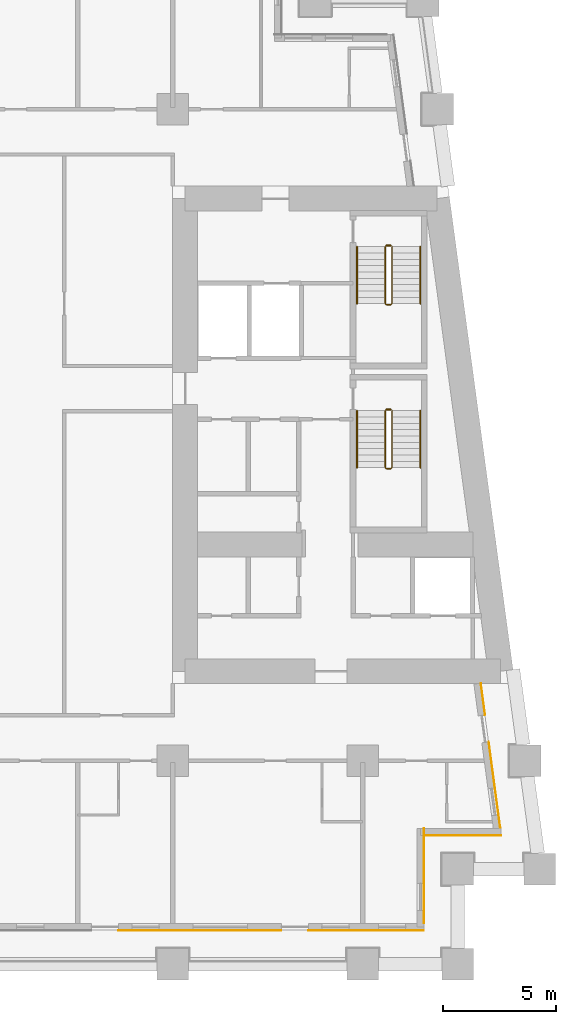
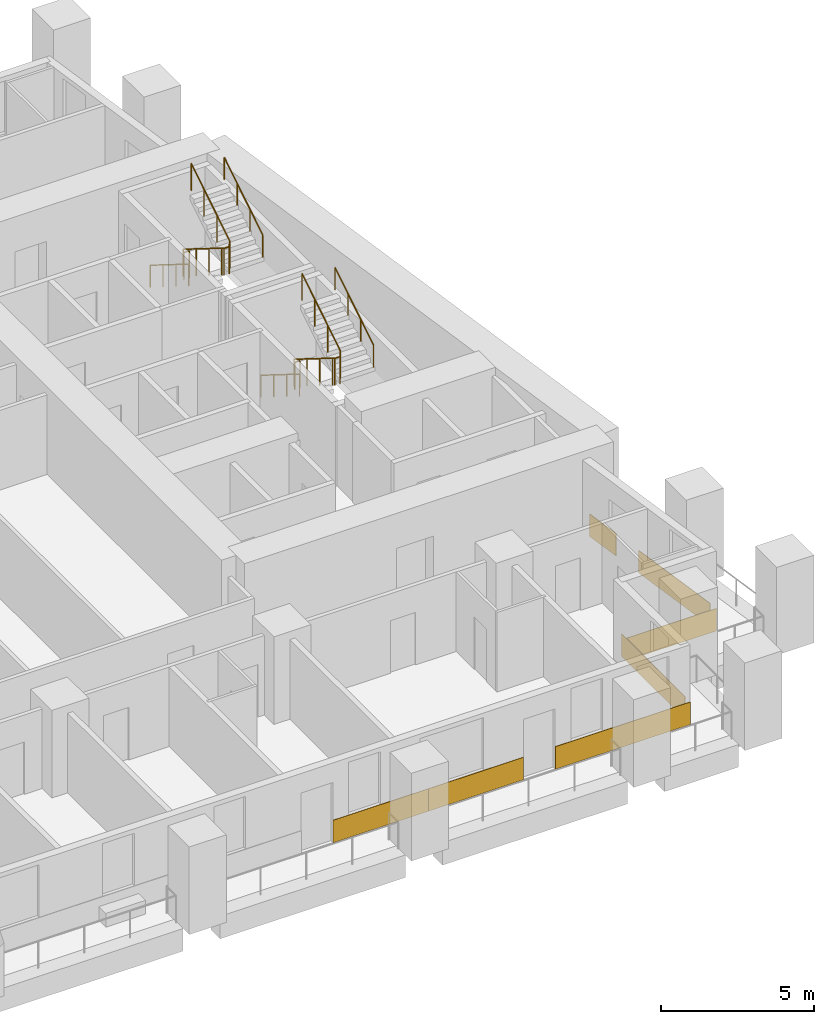
# One storey, part 10 of 12: 8 railings, 7 coverings.
"""IFC4 building model written with IfcOpenShell, lengths in metres."""

from ifc_helpers import new_model, si_unit, direction, frame, origin, origin_2d, place, context, subcontext, project, spatial, rectangle, circle, extrude, material, layer, layer_set, type_object, element, save


model = new_model("IFC4")

# Units and contexts
model_context = context("Model", 3, precision=1e-05, world=origin(), true_north=direction((0.0, 1.0)))
body_context = subcontext(model_context, "Body", "Model", "MODEL_VIEW")
ifc_project = project(units=[si_unit("LENGTHUNIT", "METRE"), si_unit("AREAUNIT", "SQUARE_METRE"), si_unit("VOLUMEUNIT", "CUBIC_METRE"), si_unit("PLANEANGLEUNIT", "RADIAN"), si_unit("MASSUNIT", "GRAM", prefix="KILO")], contexts=[model_context])

# Site, building, storey
site_placement = place(None, origin())
site = spatial("IfcSite", under=ifc_project, at=site_placement, CompositionType="ELEMENT")
building_placement = place(site_placement, origin())
building = spatial("IfcBuilding", under=site, at=building_placement, Name="Candeia Pilgrim Tower and Theatre", CompositionType="ELEMENT")
storey_placement = place(building_placement, frame((0.0, 0.0, 49.5)))
storey = spatial("IfcBuildingStorey", under=building, at=storey_placement, Name="L09", CompositionType="ELEMENT", Elevation=49.5)

# Coverings
ifc_material_1 = material(Name="Glazed ceramic tile deep red")
ifc_layer_1 = layer(ifc_material_1, 0.02001953125)
ifc_layer_set_1 = layer_set([ifc_layer_1], Name="Glazed ceramic tile deep red")
covering_type_1 = type_object("IfcCoveringType", Name="Glazed ceramic tile deep red", PredefinedType="CLADDING", material=ifc_layer_set_1)
covering_1_placement = place(storey_placement, frame((129.0, 99.489990234375, 0.0), z_axis=(0.0, 0.0, 1.0), x_axis=(1.0, 0.0, 0.0)))
element("IfcCovering", 1, at=covering_1_placement, inside=storey, type_object=covering_type_1, Name="Tile cladding deep red L09", PredefinedType="CLADDING", context=body_context, shape_type="SweptSolid", body=[
    extrude(rectangle(XDim=3.60009765625, YDim=0.02001953125, at=origin_2d()), origin(), (0.0, 0.0, 1.0), 0.89990234375),
])
covering_2_placement = place(storey_placement, frame((134.550048828125, 99.489990234375, 0.0), z_axis=(0.0, 0.0, 1.0), x_axis=(1.0, 0.0, 0.0)))
element("IfcCovering", 2, at=covering_2_placement, inside=storey, type_object=covering_type_1, Name="Tile cladding deep red L09", PredefinedType="CLADDING", context=body_context, shape_type="SweptSolid", body=[
    extrude(rectangle(XDim=5.10009765625, YDim=0.02001953125, at=origin_2d()), origin(), (0.0, 0.0, 1.0), 0.89990234375),
])
covering_3_placement = place(storey_placement, frame((137.110107421875, 101.909912109375, 0.0), z_axis=(0.0, 0.0, 1.0), x_axis=(0.0, 1.0, 0.0)))
element("IfcCovering", 3, at=covering_3_placement, inside=storey, type_object=covering_type_1, Name="Tile cladding deep red L09", PredefinedType="CLADDING", context=body_context, shape_type="SweptSolid", body=[
    extrude(rectangle(XDim=4.179931640625, YDim=0.02001953125, at=origin_2d()), origin(), (0.0, 0.0, 1.0), 0.89990234375),
])
covering_4_placement = place(storey_placement, frame((138.819580078125, 103.68994140625, 0.0), z_axis=(0.0, 0.0, 1.0), x_axis=(1.0, 0.0, 0.0)))
element("IfcCovering", 4, at=covering_4_placement, inside=storey, type_object=covering_type_1, Name="Tile cladding deep red L09", PredefinedType="CLADDING", context=body_context, shape_type="SweptSolid", body=[
    extrude(rectangle(XDim=3.399169921875, YDim=0.02001953125, at=origin_2d()), origin(), (0.0, 0.0, 1.0), 0.89990234375),
])
covering_5_placement = place(storey_placement, frame((140.228515625, 105.933349609375, 0.0), z_axis=(0.0, 0.0, 1.0), x_axis=(-0.133412012145, 0.991060661622, 0.0)))
element("IfcCovering", 5, at=covering_5_placement, inside=storey, type_object=covering_type_1, Name="Tile cladding deep red L09", PredefinedType="CLADDING", context=body_context, shape_type="SweptSolid", body=[
    extrude(rectangle(XDim=3.821044921875, YDim=0.02001953125, at=origin_2d()), origin(), (0.0, 0.0, 1.0), 0.89990234375),
])
covering_6_placement = place(storey_placement, frame((139.718994140625, 109.71875, 0.0), z_axis=(0.0, 0.0, 1.0), x_axis=(-0.133412012145, 0.991060661622, 0.0)))
element("IfcCovering", 6, at=covering_6_placement, inside=storey, type_object=covering_type_1, Name="Tile cladding deep red L09", PredefinedType="CLADDING", context=body_context, shape_type="SweptSolid", body=[
    extrude(rectangle(XDim=1.41796875, YDim=0.02001953125, at=origin_2d()), origin(), (0.0, 0.0, 1.0), 0.89990234375),
])
ifc_material_2 = material(Name="Glazed ceramic tile red")
ifc_layer_2 = layer(ifc_material_2, 0.02001953125)
ifc_layer_set_2 = layer_set([ifc_layer_2], Name="Glazed ceramic tile red")
covering_type_2 = type_object("IfcCoveringType", Name="Glazed ceramic tile red", PredefinedType="CLADDING", material=ifc_layer_set_2)
covering_7_placement = place(storey_placement, frame((125.39990234375, 99.489990234375, 0.0), z_axis=(0.0, 0.0, 1.0), x_axis=(1.0, 0.0, 0.0)))
element("IfcCovering", 7, at=covering_7_placement, inside=storey, type_object=covering_type_2, Name="Tile cladding red L09", PredefinedType="CLADDING", context=body_context, shape_type="SweptSolid", body=[
    extrude(rectangle(XDim=3.60009765625, YDim=0.02001953125, at=origin_2d()), origin(), (0.0, 0.0, 1.0), 0.89990234375),
])

# Railings
ifc_material_3 = material(Name="Stainless steel balustrade", Category="steel")
railing_type_1 = type_object("IfcRailingType", Name="RL-GUARD-1100", PredefinedType="GUARDRAIL", material=ifc_material_3)
railing_1_placement = place(storey_placement, frame((135.39794921875, 122.47509765625, 0.175048828125)))
element("IfcRailing", 8, at=railing_1_placement, inside=storey, type_object=railing_type_1, Name="L09 ST3 stair guard 1", PredefinedType="GUARDRAIL", context=body_context, shape_type="SweptSolid", body=[
    extrude(circle(Radius=0.02392578125, at=origin_2d()), frame((0.0, 0.0, 1.076171875), z_axis=(0.0, -0.848007534815, 0.529984170421), x_axis=(1.0, 0.0, 0.0)), (0.0, 0.0, 1.0), 2.9716796875),
    extrude(circle(Radius=0.02392578125, at=origin_2d()), frame((0.0, -2.52001953125, 2.65087890625), z_axis=(0.707106781187, -0.707106781187, 0.0), x_axis=(0.707106781187, 0.707106781187, 0.0)), (0.0, 0.0, 1.0), 0.07080078125),
    extrude(circle(Radius=0.02392578125, at=origin_2d()), frame((0.050048828125, -2.570068359375, 2.65087890625), z_axis=(1.0, 0.0, 0.0), x_axis=(0.0, 1.0, 0.0)), (0.0, 0.0, 1.0), 0.199951171875),
    extrude(circle(Radius=0.02392578125, at=origin_2d()), frame((0.25, -2.570068359375, 2.65087890625), z_axis=(0.265065253269, 0.265065253269, 0.927081885822), x_axis=(-0.707106781187, 0.707106781187, 0.0)), (0.0, 0.0, 1.0), 0.188720703125),
    extrude(circle(Radius=0.02392578125, at=origin_2d()), frame((0.300048828125, -2.52001953125, 2.826171875), z_axis=(0.0, 0.848007534815, 0.529984170421), x_axis=(-1.0, 0.0, 0.0)), (0.0, 0.0, 1.0), 2.9716796875),
    extrude(circle(Radius=0.02099609375, at=origin_2d()), origin(), (0.0, 0.0, 1.0), 1.052001953125),
    extrude(circle(Radius=0.02099609375, at=origin_2d()), frame((0.0, -0.840087890625, 0.52490234375)), (0.0, 0.0, 1.0), 1.052001953125),
    extrude(circle(Radius=0.02099609375, at=origin_2d()), frame((0.0, -1.679931640625, 1.050048828125)), (0.0, 0.0, 1.0), 1.052001953125),
    extrude(circle(Radius=0.02099609375, at=origin_2d()), frame((0.0, -2.52001953125, 1.574951171875)), (0.0, 0.0, 1.0), 1.052001953125),
    extrude(circle(Radius=0.02099609375, at=origin_2d()), frame((0.050048828125, -2.570068359375, 1.574951171875)), (0.0, 0.0, 1.0), 1.052001953125),
    extrude(circle(Radius=0.02099609375, at=origin_2d()), frame((0.25, -2.570068359375, 1.574951171875)), (0.0, 0.0, 1.0), 1.052001953125),
    extrude(circle(Radius=0.02099609375, at=origin_2d()), frame((0.300048828125, -2.52001953125, 1.75)), (0.0, 0.0, 1.0), 1.052001953125),
    extrude(circle(Radius=0.02099609375, at=origin_2d()), frame((0.300048828125, -1.679931640625, 2.27490234375)), (0.0, 0.0, 1.0), 1.052001953125),
    extrude(circle(Radius=0.02099609375, at=origin_2d()), frame((0.300048828125, -0.840087890625, 2.800048828125)), (0.0, 0.0, 1.0), 1.052001953125),
    extrude(circle(Radius=0.02099609375, at=origin_2d()), frame((0.300048828125, 0.0, 3.324951171875)), (0.0, 0.0, 1.0), 1.052001953125),
])
railing_2_placement = place(storey_placement, frame((135.447998046875, 122.52490234375, 0.0)))
element("IfcRailing", 9, at=railing_2_placement, inside=storey, type_object=railing_type_1, Name="L09 ST3 stair guard 2", PredefinedType="GUARDRAIL", context=body_context, shape_type="SweptSolid", body=[
    extrude(circle(Radius=0.02392578125, at=origin_2d()), frame((0.0, 0.0, 1.076171875), z_axis=(1.0, 0.0, 0.0), x_axis=(0.0, 1.0, 0.0)), (0.0, 0.0, 1.0), 0.199951171875),
    extrude(circle(Radius=0.02099609375, at=origin_2d()), origin(), (0.0, 0.0, 1.0), 1.052001953125),
    extrude(circle(Radius=0.02099609375, at=origin_2d()), frame((0.199951171875, 0.0, 0.0)), (0.0, 0.0, 1.0), 1.052001953125),
])
railing_3_placement = place(storey_placement, frame((135.39794921875, 129.72509765625, 0.175048828125)))
element("IfcRailing", 10, at=railing_3_placement, inside=storey, type_object=railing_type_1, Name="L09 ST4 stair guard 1", PredefinedType="GUARDRAIL", context=body_context, shape_type="SweptSolid", body=[
    extrude(circle(Radius=0.02392578125, at=origin_2d()), frame((0.0, 0.0, 1.076171875), z_axis=(0.0, -0.848007534815, 0.529984170421), x_axis=(1.0, 0.0, 0.0)), (0.0, 0.0, 1.0), 2.9716796875),
    extrude(circle(Radius=0.02392578125, at=origin_2d()), frame((0.0, -2.52001953125, 2.65087890625), z_axis=(0.707106781187, -0.707106781187, 0.0), x_axis=(0.707106781187, 0.707106781187, 0.0)), (0.0, 0.0, 1.0), 0.07080078125),
    extrude(circle(Radius=0.02392578125, at=origin_2d()), frame((0.050048828125, -2.570068359375, 2.65087890625), z_axis=(1.0, 0.0, 0.0), x_axis=(0.0, 1.0, 0.0)), (0.0, 0.0, 1.0), 0.199951171875),
    extrude(circle(Radius=0.02392578125, at=origin_2d()), frame((0.25, -2.570068359375, 2.65087890625), z_axis=(0.265065253269, 0.265065253269, 0.927081885822), x_axis=(-0.707106781187, 0.707106781187, 0.0)), (0.0, 0.0, 1.0), 0.188720703125),
    extrude(circle(Radius=0.02392578125, at=origin_2d()), frame((0.300048828125, -2.52001953125, 2.826171875), z_axis=(0.0, 0.848007534815, 0.529984170421), x_axis=(-1.0, 0.0, 0.0)), (0.0, 0.0, 1.0), 2.9716796875),
    extrude(circle(Radius=0.02099609375, at=origin_2d()), origin(), (0.0, 0.0, 1.0), 1.052001953125),
    extrude(circle(Radius=0.02099609375, at=origin_2d()), frame((0.0, -0.840087890625, 0.52490234375)), (0.0, 0.0, 1.0), 1.052001953125),
    extrude(circle(Radius=0.02099609375, at=origin_2d()), frame((0.0, -1.679931640625, 1.050048828125)), (0.0, 0.0, 1.0), 1.052001953125),
    extrude(circle(Radius=0.02099609375, at=origin_2d()), frame((0.0, -2.52001953125, 1.574951171875)), (0.0, 0.0, 1.0), 1.052001953125),
    extrude(circle(Radius=0.02099609375, at=origin_2d()), frame((0.050048828125, -2.570068359375, 1.574951171875)), (0.0, 0.0, 1.0), 1.052001953125),
    extrude(circle(Radius=0.02099609375, at=origin_2d()), frame((0.25, -2.570068359375, 1.574951171875)), (0.0, 0.0, 1.0), 1.052001953125),
    extrude(circle(Radius=0.02099609375, at=origin_2d()), frame((0.300048828125, -2.52001953125, 1.75)), (0.0, 0.0, 1.0), 1.052001953125),
    extrude(circle(Radius=0.02099609375, at=origin_2d()), frame((0.300048828125, -1.679931640625, 2.27490234375)), (0.0, 0.0, 1.0), 1.052001953125),
    extrude(circle(Radius=0.02099609375, at=origin_2d()), frame((0.300048828125, -0.840087890625, 2.800048828125)), (0.0, 0.0, 1.0), 1.052001953125),
    extrude(circle(Radius=0.02099609375, at=origin_2d()), frame((0.300048828125, 0.0, 3.324951171875)), (0.0, 0.0, 1.0), 1.052001953125),
])
railing_4_placement = place(storey_placement, frame((135.447998046875, 129.77490234375, 0.0)))
element("IfcRailing", 11, at=railing_4_placement, inside=storey, type_object=railing_type_1, Name="L09 ST4 stair guard 2", PredefinedType="GUARDRAIL", context=body_context, shape_type="SweptSolid", body=[
    extrude(circle(Radius=0.02392578125, at=origin_2d()), frame((0.0, 0.0, 1.076171875), z_axis=(1.0, 0.0, 0.0), x_axis=(0.0, 1.0, 0.0)), (0.0, 0.0, 1.0), 0.199951171875),
    extrude(circle(Radius=0.02099609375, at=origin_2d()), origin(), (0.0, 0.0, 1.0), 1.052001953125),
    extrude(circle(Radius=0.02099609375, at=origin_2d()), frame((0.199951171875, 0.0, 0.0)), (0.0, 0.0, 1.0), 1.052001953125),
])
ifc_material_4 = material(Name="Stainless steel handrail", Category="steel")
railing_type_2 = type_object("IfcRailingType", Name="RL-HANDRAIL-900", PredefinedType="HANDRAIL", material=ifc_material_4)
railing_5_placement = place(storey_placement, frame((134.14794921875, 122.47509765625, 0.175048828125)))
element("IfcRailing", 12, at=railing_5_placement, inside=storey, type_object=railing_type_2, Name="L09 ST3 stair handrail 1", PredefinedType="HANDRAIL", context=body_context, shape_type="SweptSolid", body=[
    extrude(circle(Radius=0.02392578125, at=origin_2d()), frame((0.0, 0.0, 0.8759765625), z_axis=(0.0, -0.848007534815, 0.529984170421), x_axis=(1.0, 0.0, 0.0)), (0.0, 0.0, 1.0), 2.9716796875),
    extrude(circle(Radius=0.02099609375, at=origin_2d()), origin(), (0.0, 0.0, 1.0), 0.851806640625),
    extrude(circle(Radius=0.02099609375, at=origin_2d()), frame((0.0, -0.840087890625, 0.52490234375)), (0.0, 0.0, 1.0), 0.851806640625),
    extrude(circle(Radius=0.02099609375, at=origin_2d()), frame((0.0, -1.679931640625, 1.050048828125)), (0.0, 0.0, 1.0), 0.851806640625),
    extrude(circle(Radius=0.02099609375, at=origin_2d()), frame((0.0, -2.52001953125, 1.574951171875)), (0.0, 0.0, 1.0), 0.851806640625),
])
railing_6_placement = place(storey_placement, frame((136.947998046875, 119.955078125, 1.925048828125)))
element("IfcRailing", 13, at=railing_6_placement, inside=storey, type_object=railing_type_2, Name="L09 ST3 stair handrail 2", PredefinedType="HANDRAIL", context=body_context, shape_type="SweptSolid", body=[
    extrude(circle(Radius=0.02392578125, at=origin_2d()), frame((0.0, 0.0, 0.8759765625), z_axis=(0.0, 0.848007534815, 0.529984170421), x_axis=(-1.0, 0.0, 0.0)), (0.0, 0.0, 1.0), 2.9716796875),
    extrude(circle(Radius=0.02099609375, at=origin_2d()), origin(), (0.0, 0.0, 1.0), 0.851806640625),
    extrude(circle(Radius=0.02099609375, at=origin_2d()), frame((0.0, 0.840087890625, 0.52490234375)), (0.0, 0.0, 1.0), 0.851806640625),
    extrude(circle(Radius=0.02099609375, at=origin_2d()), frame((0.0, 1.679931640625, 1.050048828125)), (0.0, 0.0, 1.0), 0.851806640625),
    extrude(circle(Radius=0.02099609375, at=origin_2d()), frame((0.0, 2.52001953125, 1.574951171875)), (0.0, 0.0, 1.0), 0.851806640625),
])
railing_7_placement = place(storey_placement, frame((134.14794921875, 129.72509765625, 0.175048828125)))
element("IfcRailing", 14, at=railing_7_placement, inside=storey, type_object=railing_type_2, Name="L09 ST4 stair handrail 1", PredefinedType="HANDRAIL", context=body_context, shape_type="SweptSolid", body=[
    extrude(circle(Radius=0.02392578125, at=origin_2d()), frame((0.0, 0.0, 0.8759765625), z_axis=(0.0, -0.848007534815, 0.529984170421), x_axis=(1.0, 0.0, 0.0)), (0.0, 0.0, 1.0), 2.9716796875),
    extrude(circle(Radius=0.02099609375, at=origin_2d()), origin(), (0.0, 0.0, 1.0), 0.851806640625),
    extrude(circle(Radius=0.02099609375, at=origin_2d()), frame((0.0, -0.840087890625, 0.52490234375)), (0.0, 0.0, 1.0), 0.851806640625),
    extrude(circle(Radius=0.02099609375, at=origin_2d()), frame((0.0, -1.679931640625, 1.050048828125)), (0.0, 0.0, 1.0), 0.851806640625),
    extrude(circle(Radius=0.02099609375, at=origin_2d()), frame((0.0, -2.52001953125, 1.574951171875)), (0.0, 0.0, 1.0), 0.851806640625),
])
railing_8_placement = place(storey_placement, frame((136.947998046875, 127.205078125, 1.925048828125)))
element("IfcRailing", 15, at=railing_8_placement, inside=storey, type_object=railing_type_2, Name="L09 ST4 stair handrail 2", PredefinedType="HANDRAIL", context=body_context, shape_type="SweptSolid", body=[
    extrude(circle(Radius=0.02392578125, at=origin_2d()), frame((0.0, 0.0, 0.8759765625), z_axis=(0.0, 0.848007534815, 0.529984170421), x_axis=(-1.0, 0.0, 0.0)), (0.0, 0.0, 1.0), 2.9716796875),
    extrude(circle(Radius=0.02099609375, at=origin_2d()), origin(), (0.0, 0.0, 1.0), 0.851806640625),
    extrude(circle(Radius=0.02099609375, at=origin_2d()), frame((0.0, 0.840087890625, 0.52490234375)), (0.0, 0.0, 1.0), 0.851806640625),
    extrude(circle(Radius=0.02099609375, at=origin_2d()), frame((0.0, 1.679931640625, 1.050048828125)), (0.0, 0.0, 1.0), 0.851806640625),
    extrude(circle(Radius=0.02099609375, at=origin_2d()), frame((0.0, 2.52001953125, 1.574951171875)), (0.0, 0.0, 1.0), 0.851806640625),
])

save(model, "model.ifc")
